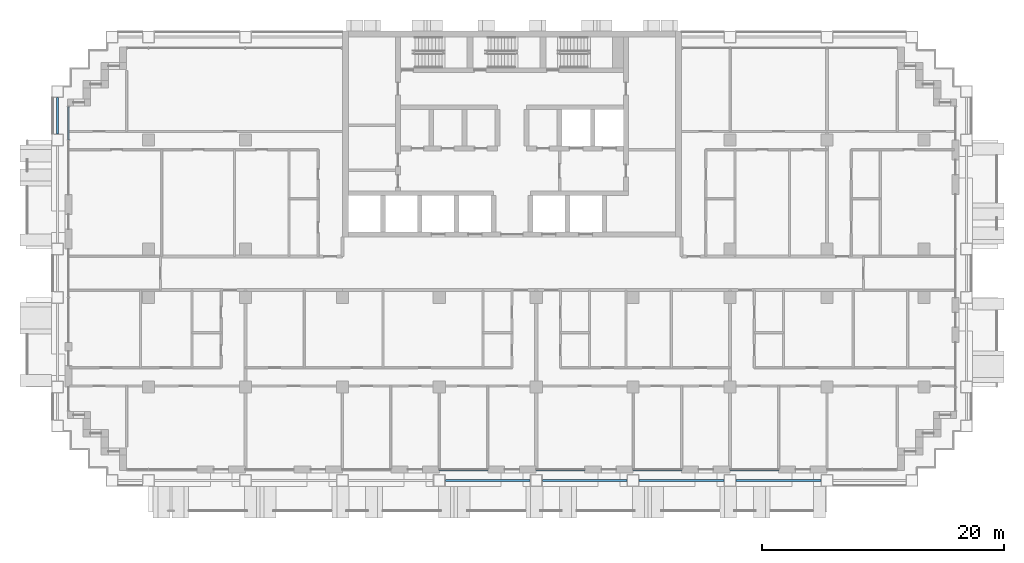
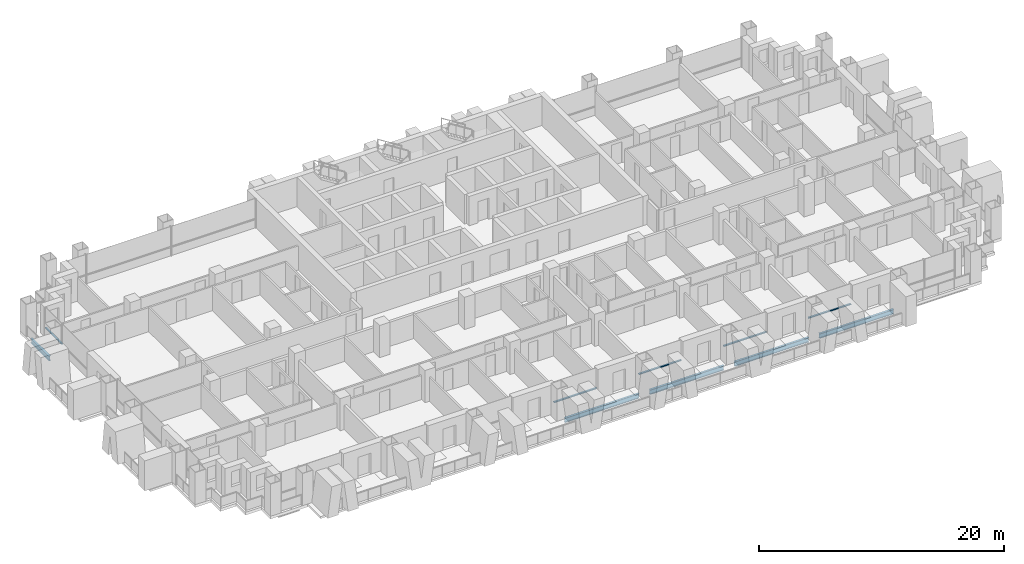
# One storey, part 3 of 18: 5 beams, 5 members, 5 elements without a shape of their own.
"""IFC4 building model written with IfcOpenShell, lengths in metres."""

from ifc_helpers import new_model, si_unit, direction, frame, origin, origin_2d, place, context, subcontext, project, spatial, rectangle, i_section, extrude, material, material_profile, profile_set, type_object, element, aggregate, save


model = new_model("IFC4")

# Units and contexts
model_context = context("Model", 3, precision=1e-05, world=origin(), true_north=direction((0.0, 1.0)))
body_context = subcontext(model_context, "Body", "Model", "MODEL_VIEW")
ifc_project = project(units=[si_unit("LENGTHUNIT", "METRE"), si_unit("AREAUNIT", "SQUARE_METRE"), si_unit("VOLUMEUNIT", "CUBIC_METRE"), si_unit("PLANEANGLEUNIT", "RADIAN"), si_unit("MASSUNIT", "GRAM", prefix="KILO")], contexts=[model_context])

# Site, building, storey
site_placement = place(None, origin())
site = spatial("IfcSite", under=ifc_project, at=site_placement, CompositionType="ELEMENT")
building_placement = place(site_placement, origin())
building = spatial("IfcBuilding", under=site, at=building_placement, Name="Vidyagriha Tower", CompositionType="ELEMENT")
storey_placement = place(building_placement, frame((0.0, 0.0, 44.800048828125)))
storey = spatial("IfcBuildingStorey", under=building, at=storey_placement, Name="L11", CompositionType="ELEMENT", Elevation=44.800048828125)

# Beams
ifc_material_1 = material(Name="Steel ASTM A992 Grade 50", Category="steel")
ifc_material_profile_1 = material_profile(ifc_material_1, i_section(OverallWidth=0.19189453125, OverallDepth=0.46240234375, WebThickness=0.010498046875, FlangeThickness=0.017578125, at=origin_2d()), Name="W18X60")
ifc_profile_set_1 = profile_set([ifc_material_profile_1], Name="Steel ASTM A992 Grade 50")
beam_type = type_object("IfcBeamType", Name="Edge beam W18X60", PredefinedType="SPANDREL", material=ifc_profile_set_1)
for number, where, z_axis, x_axis, name in (
    (1, (-5.5, -17.10009765625, -0.51123046875), (1.0, 0.0, 0.0), (0.0, 1.0, 0.0), "st-beam-L11-S05"),
    (2, (2.5, -17.10009765625, -0.51123046875), (1.0, 0.0, 0.0), (0.0, 1.0, 0.0), "st-beam-L11-S06"),
    (3, (10.5, -17.10009765625, -0.51123046875), (1.0, 0.0, 0.0), (0.0, 1.0, 0.0), "st-beam-L11-S07"),
    (4, (18.5, -17.10009765625, -0.51123046875), (1.0, 0.0, 0.0), (0.0, 1.0, 0.0), "st-beam-L11-S08"),
):
    element("IfcBeam", number, at=place(storey_placement, frame(where, z_axis=z_axis, x_axis=x_axis)), inside=storey, type_object=beam_type, Name=name, PredefinedType="SPANDREL", context=body_context, shape_type="SweptSolid", body=[
        extrude(i_section(OverallWidth=0.19189453125, OverallDepth=0.46240234375, WebThickness=0.010498046875, FlangeThickness=0.017578125, at=origin_2d()), origin(), (0.0, 0.0, 1.0), 7.0),
    ])
beam_placement = place(storey_placement, frame((-37.5, 11.5, -0.51123046875), z_axis=(0.0, 1.0, 0.0), x_axis=(-1.0, 0.0, 0.0)))
element("IfcBeam", 5, at=beam_placement, inside=storey, type_object=beam_type, Name="st-beam-L11-W14", PredefinedType="SPANDREL", context=body_context, shape_type="SweptSolid", body=[
    extrude(i_section(OverallWidth=0.19189453125, OverallDepth=0.46240234375, WebThickness=0.010498046875, FlangeThickness=0.017578125, at=origin_2d()), origin(), (0.0, 0.0, 1.0), 3.0),
])

# Curtain wall, member
ifc_material_2 = material(Name="Aluminium and glass curtain wall", Category="aluminium")
curtain_wall_type = type_object("IfcCurtainWallType", Name="Dwelling skin unitised curtain wall", PredefinedType="USERDEFINED", material=ifc_material_2)
curtain_wall_1_placement = place(storey_placement, origin())
curtain_wall_1 = element("IfcCurtainWall", 6, at=curtain_wall_1_placement, inside=storey, type_object=curtain_wall_type, Name="CW1 dwelling skin", ObjectType="UNITISED", PredefinedType="USERDEFINED")
ifc_material_3 = material(Name="Aluminium black anodised", Category="aluminium")
ifc_material_profile_2 = material_profile(ifc_material_3, rectangle(XDim=0.159912109375, YDim=0.10009765625, at=origin_2d()), Name="Transom 100x160 black aluminium")
ifc_profile_set_2 = profile_set([ifc_material_profile_2], Name="Aluminium black anodised")
member_type = type_object("IfcMemberType", Name="Transom 100x160 black aluminium", PredefinedType="USERDEFINED", material=ifc_profile_set_2)
member_1_placement = place(storey_placement, frame((-36.60009765625, 13.72998046875, 0.89990234375), z_axis=(0.0, -1.0, 0.0), x_axis=(1.0, 0.0, 0.0)))
member_1 = element("IfcMember", 7, at=member_1_placement, type_object=member_type, Name="CW1 transom 1.1", ObjectType="TRANSOM", PredefinedType="USERDEFINED", context=body_context, shape_type="SweptSolid", body=[
    extrude(rectangle(XDim=0.159912109375, YDim=0.10009765625, at=origin_2d()), origin(), (0.0, 0.0, 1.0), 2.695068359375),
])
aggregate(curtain_wall_1, [member_1])

curtain_wall_2_placement = place(storey_placement, origin())
curtain_wall_2 = element("IfcCurtainWall", 8, at=curtain_wall_2_placement, inside=storey, type_object=curtain_wall_type, Name="CW1 dwelling skin", ObjectType="UNITISED", PredefinedType="USERDEFINED")
member_2_placement = place(storey_placement, frame((-6.0, -16.199951171875, 0.89990234375), z_axis=(1.0, 0.0, 0.0), x_axis=(0.0, 1.0, 0.0)))
member_2 = element("IfcMember", 9, at=member_2_placement, type_object=member_type, Name="CW1 transom 1.1", ObjectType="TRANSOM", PredefinedType="USERDEFINED", context=body_context, shape_type="SweptSolid", body=[
    extrude(rectangle(XDim=0.159912109375, YDim=0.10009765625, at=origin_2d()), origin(), (0.0, 0.0, 1.0), 4.0),
])
aggregate(curtain_wall_2, [member_2])

curtain_wall_3_placement = place(storey_placement, origin())
curtain_wall_3 = element("IfcCurtainWall", 10, at=curtain_wall_3_placement, inside=storey, type_object=curtain_wall_type, Name="CW1 dwelling skin", ObjectType="UNITISED", PredefinedType="USERDEFINED")
member_3_placement = place(storey_placement, frame((2.0, -16.199951171875, 0.89990234375), z_axis=(1.0, 0.0, 0.0), x_axis=(0.0, 1.0, 0.0)))
member_3 = element("IfcMember", 11, at=member_3_placement, type_object=member_type, Name="CW1 transom 1.1", ObjectType="TRANSOM", PredefinedType="USERDEFINED", context=body_context, shape_type="SweptSolid", body=[
    extrude(rectangle(XDim=0.159912109375, YDim=0.10009765625, at=origin_2d()), origin(), (0.0, 0.0, 1.0), 4.0),
])
aggregate(curtain_wall_3, [member_3])

curtain_wall_4_placement = place(storey_placement, origin())
curtain_wall_4 = element("IfcCurtainWall", 12, at=curtain_wall_4_placement, inside=storey, type_object=curtain_wall_type, Name="CW1 dwelling skin", ObjectType="UNITISED", PredefinedType="USERDEFINED")
member_4_placement = place(storey_placement, frame((10.0, -16.199951171875, 0.89990234375), z_axis=(1.0, 0.0, 0.0), x_axis=(0.0, 1.0, 0.0)))
member_4 = element("IfcMember", 13, at=member_4_placement, type_object=member_type, Name="CW1 transom 1.1", ObjectType="TRANSOM", PredefinedType="USERDEFINED", context=body_context, shape_type="SweptSolid", body=[
    extrude(rectangle(XDim=0.159912109375, YDim=0.10009765625, at=origin_2d()), origin(), (0.0, 0.0, 1.0), 4.0),
])
aggregate(curtain_wall_4, [member_4])

curtain_wall_5_placement = place(storey_placement, origin())
curtain_wall_5 = element("IfcCurtainWall", 14, at=curtain_wall_5_placement, inside=storey, type_object=curtain_wall_type, Name="CW1 dwelling skin", ObjectType="UNITISED", PredefinedType="USERDEFINED")
member_5_placement = place(storey_placement, frame((18.0, -16.199951171875, 0.89990234375), z_axis=(1.0, 0.0, 0.0), x_axis=(0.0, 1.0, 0.0)))
member_5 = element("IfcMember", 15, at=member_5_placement, type_object=member_type, Name="CW1 transom 1.1", ObjectType="TRANSOM", PredefinedType="USERDEFINED", context=body_context, shape_type="SweptSolid", body=[
    extrude(rectangle(XDim=0.159912109375, YDim=0.10009765625, at=origin_2d()), origin(), (0.0, 0.0, 1.0), 4.0),
])
aggregate(curtain_wall_5, [member_5])

save(model, "model.ifc")
